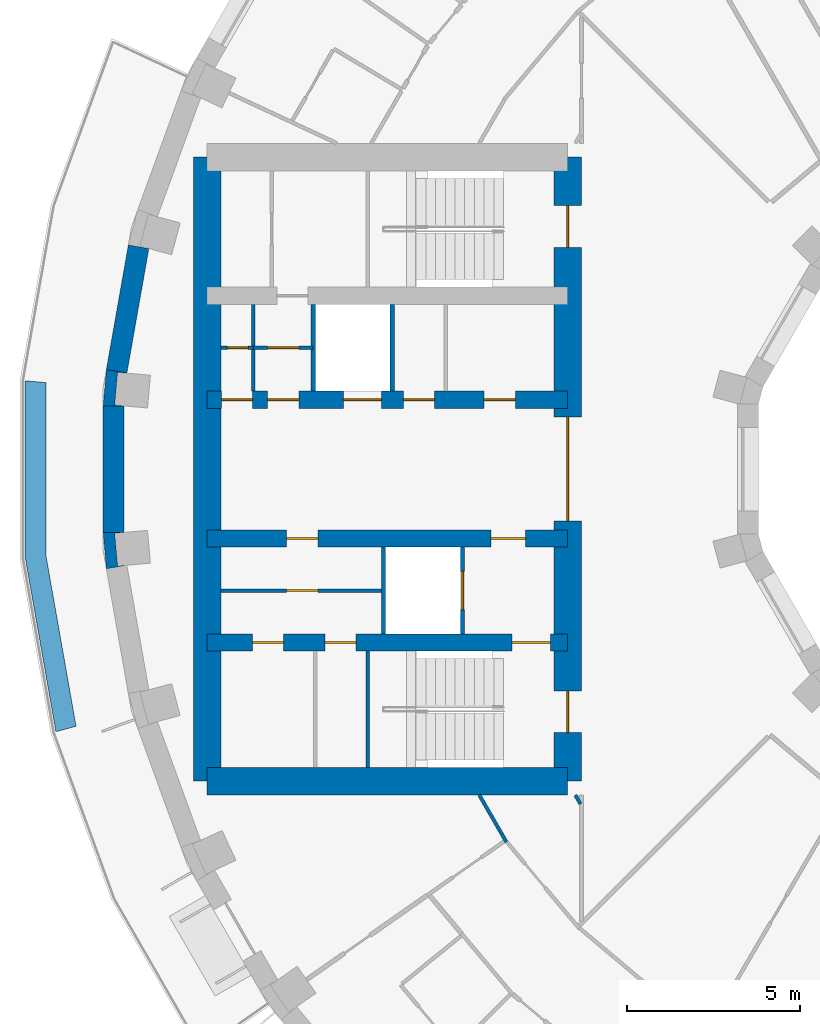
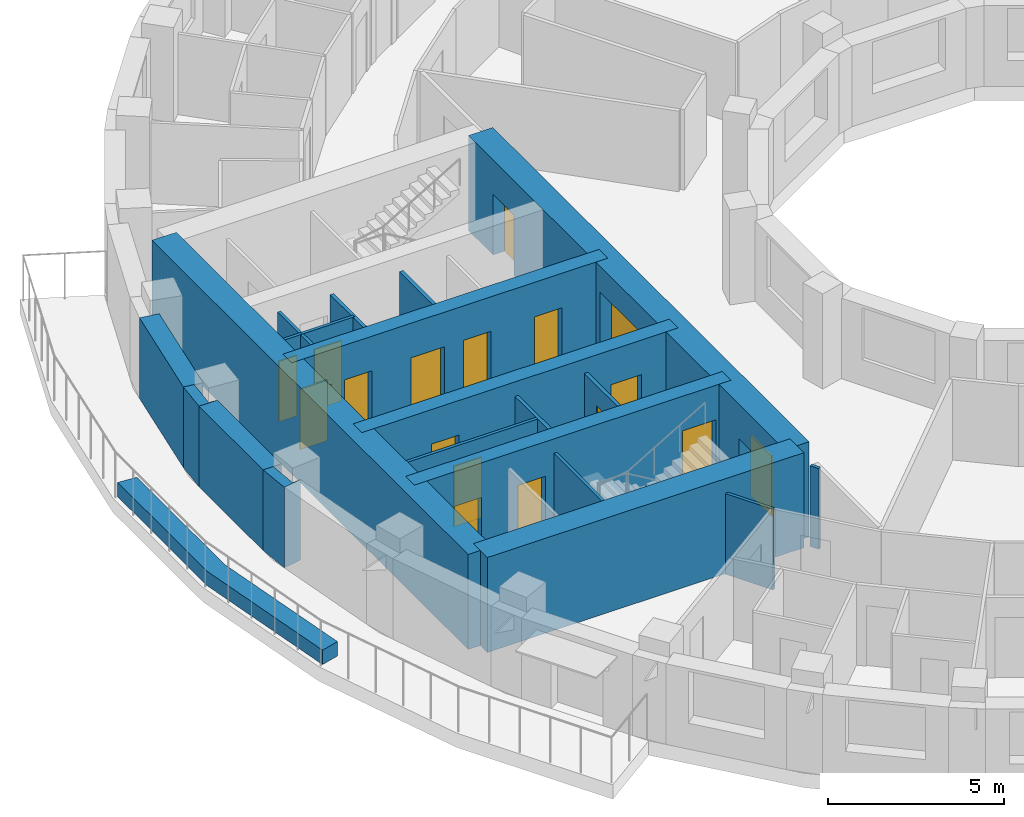
# One storey, part 4 of 13: 22 walls, 17 doors, 17 openings.
"""IFC4 building model written with IfcOpenShell, lengths in metres."""

from ifc_helpers import new_model, si_unit, direction, frame, frame_2d, origin, place, context, subcontext, project, spatial, polyline, rectangle, outline, extrude, material, layer, layer_set, type_object, element, fill, save


model = new_model("IFC4")

# Units and contexts
model_context = context("Model", 3, precision=1e-05, world=origin(), true_north=direction((0.0, 1.0)))
body_context = subcontext(model_context, "Body", "Model", "MODEL_VIEW")
ifc_project = project(units=[si_unit("LENGTHUNIT", "METRE"), si_unit("AREAUNIT", "SQUARE_METRE"), si_unit("VOLUMEUNIT", "CUBIC_METRE"), si_unit("PLANEANGLEUNIT", "RADIAN"), si_unit("MASSUNIT", "GRAM", prefix="KILO")], contexts=[model_context])

# Site, building, storey
site_placement = place(None, origin())
site = spatial("IfcSite", under=ifc_project, at=site_placement, CompositionType="ELEMENT")
building_placement = place(site_placement, origin())
building = spatial("IfcBuilding", under=site, at=building_placement, Name="Saqina Gate Tower", CompositionType="ELEMENT")
storey_placement = place(building_placement, frame((0.0, 0.0, 118.300048828125)))
storey = spatial("IfcBuildingStorey", under=building, at=storey_placement, Name="L33", CompositionType="ELEMENT", Elevation=118.300048828125)

# Walls
ifc_material_1 = material(Name="Brick masonry (buff)", Category="masonry")
wall_type_1 = type_object("IfcWallType", Name="BRICK PIER COPING BUFF", PredefinedType="SOLIDWALL", material=ifc_material_1)
wall_1_placement = place(storey_placement, origin())
element("IfcWall", 1, at=wall_1_placement, inside=storey, type_object=wall_type_1, Name="Pier cap L33 column 18", PredefinedType="SOLIDWALL", context=body_context, shape_type="SweptSolid", body=[
    extrude(outline(polyline([(-26.805419921875, 2.87451171875), (-26.897216796875, 1.823974609375), (-26.29736328125, 1.823974609375), (-26.565185546875, 1.847412109375), (-26.482421875, 2.793701171875), (-26.214599609375, 2.770263671875), (-26.805419921875, 2.87451171875)])), origin(), (0.0, 0.0, 1.0), 2.800048828125),
])
wall_2_placement = place(storey_placement, origin())
element("IfcWall", 2, at=wall_2_placement, inside=storey, type_object=wall_type_1, Name="Pier cap L33 column 19", PredefinedType="SOLIDWALL", context=body_context, shape_type="SweptSolid", body=[
    extrude(outline(polyline([(-26.805419921875, -2.87451171875), (-26.214599609375, -2.770263671875), (-26.482421875, -2.793701171875), (-26.565185546875, -1.847412109375), (-26.29736328125, -1.823974609375), (-26.897216796875, -1.823974609375), (-26.805419921875, -2.87451171875)])), origin(), (0.0, 0.0, 1.0), 2.800048828125),
])
ifc_material_2 = material(Name="Gypsum board on steel studs", Category="steel")
ifc_layer_1 = layer(ifc_material_2, 0.10009765625)
ifc_layer_set_1 = layer_set([ifc_layer_1], Name="CORE PARTITION")
wall_type_2 = type_object("IfcWallType", Name="CORE PARTITION", PredefinedType="PARTITIONING", material=ifc_layer_set_1)
wall_3_placement = place(storey_placement, frame((-22.569091796875, 2.25, 0.0), z_axis=(0.0, 0.0, 1.0), x_axis=(0.0, 1.0, 0.0)))
element("IfcWall", 3, at=wall_3_placement, inside=storey, type_object=wall_type_2, Name="L33-CP-W04", PredefinedType="PARTITIONING", context=body_context, shape_type="SweptSolid", body=[
    extrude(rectangle(XDim=2.5, YDim=0.10009765625, at=frame_2d((1.25, 0.0))), origin(), (0.0, 0.0, 1.0), 2.800048828125),
])

# Wall, opening, door
wall_4_placement = place(storey_placement, frame((-20.840087890625, 3.5, 0.0), z_axis=(0.0, 0.0, 1.0), x_axis=(-1.0, 0.0, 0.0)))
wall_4 = element("IfcWall", 4, at=wall_4_placement, inside=storey, type_object=wall_type_2, Name="L33-CP-W07", PredefinedType="PARTITIONING", context=body_context, shape_type="SweptSolid", body=[
    extrude(rectangle(XDim=1.72900390625, YDim=0.10009765625, at=frame_2d((0.864501953125, 0.0))), origin(), (0.0, 0.0, 1.0), 2.800048828125),
])
opening_1_placement = place(wall_4_placement, frame((0.41455078125, 0.0, 0.0)))
opening_1 = element("IfcOpeningElement", 5, at=opening_1_placement, cuts=wall_4, Name="Opening G09-D114", PredefinedType="OPENING", context=body_context, shape_type="SweptSolid", body=[
    extrude(rectangle(XDim=0.89990234375, YDim=2.10009765625, at=frame_2d((0.449951171875, 1.050048828125))), frame((0.0, 0.06201171875, 0.0), z_axis=(0.0, -1.0, 0.0), x_axis=(1.0, 0.0, 0.0)), (0.0, 0.0, 1.0), 0.1240234375),
])
ifc_material_3 = material(Name="Steel-framed fire door leaf, EI 60", Category="steel")
door_type_1 = type_object("IfcDoorType", Name="SERVICE ROOM DOOR 900", OperationType="SINGLE_SWING_LEFT", PredefinedType="DOOR", material=ifc_material_3)
door_1_placement = place(opening_1_placement, frame((0.89990234375, 0.0, 0.0), z_axis=(0.0, 0.0, 1.0), x_axis=(-1.0, 0.0, 0.0)))
door_1 = element("IfcDoor", 6, at=door_1_placement, inside=storey, type_object=door_type_1, Name="L33-CD-W25", OperationType="SINGLE_SWING_RIGHT", OverallHeight=2.10009765625, OverallWidth=0.89990234375, PredefinedType="DOOR", context=body_context, shape_type="SweptSolid", body=[
    extrude(rectangle(XDim=0.89990234375, YDim=2.10009765625, at=frame_2d((0.449951171875, 1.050048828125))), frame((0.0, 0.02490234375, 0.0), z_axis=(0.0, -1.0, 0.0), x_axis=(1.0, 0.0, 0.0)), (0.0, 0.0, 1.0), 0.050048828125),
])
fill(opening_1, door_1)

wall_5_placement = place(storey_placement, frame((-22.569091796875, 3.5, 0.0), z_axis=(0.0, 0.0, 1.0), x_axis=(-1.0, 0.0, 0.0)))
wall_5 = element("IfcWall", 7, at=wall_5_placement, inside=storey, type_object=wall_type_2, Name="L33-CP-W08", PredefinedType="PARTITIONING", context=body_context, shape_type="SweptSolid", body=[
    extrude(rectangle(XDim=0.930908203125, YDim=0.10009765625, at=frame_2d((0.46533203125, 0.0))), origin(), (0.0, 0.0, 1.0), 2.800048828125),
])
opening_2_placement = place(wall_5_placement, frame((0.14990234375, 0.0, 0.0)))
opening_2 = element("IfcOpeningElement", 8, at=opening_2_placement, cuts=wall_5, Name="Opening G09-D113", PredefinedType="OPENING", context=body_context, shape_type="SweptSolid", body=[
    extrude(rectangle(XDim=0.60009765625, YDim=2.10009765625, at=frame_2d((0.300048828125, 1.050048828125))), frame((0.0, 0.06201171875, 0.0), z_axis=(0.0, -1.0, 0.0), x_axis=(1.0, 0.0, 0.0)), (0.0, 0.0, 1.0), 0.1240234375),
])
ifc_material_4 = material(Name="Steel-framed fire door leaf, EI 60", Category="steel")
door_type_2 = type_object("IfcDoorType", Name="SERVICE ROOM DOOR 600", OperationType="SINGLE_SWING_LEFT", PredefinedType="DOOR", material=ifc_material_4)
door_2_placement = place(opening_2_placement, origin())
door_2 = element("IfcDoor", 9, at=door_2_placement, inside=storey, type_object=door_type_2, Name="L33-CD-W24", OperationType="SINGLE_SWING_RIGHT", OverallHeight=2.10009765625, OverallWidth=0.60009765625, PredefinedType="DOOR", context=body_context, shape_type="SweptSolid", body=[
    extrude(rectangle(XDim=0.60009765625, YDim=2.10009765625, at=frame_2d((0.300048828125, 1.050048828125))), frame((0.0, 0.02490234375, 0.0), z_axis=(0.0, -1.0, 0.0), x_axis=(1.0, 0.0, 0.0)), (0.0, 0.0, 1.0), 0.050048828125),
])
fill(opening_2, door_2)

wall_6_placement = place(storey_placement, frame((-18.81005859375, -3.5, 0.0), z_axis=(0.0, 0.0, 1.0), x_axis=(-1.0, 0.0, 0.0)))
wall_6 = element("IfcWall", 10, at=wall_6_placement, inside=storey, type_object=wall_type_2, Name="L33-CP-W09", PredefinedType="PARTITIONING", context=body_context, shape_type="SweptSolid", body=[
    extrude(rectangle(XDim=4.68994140625, YDim=0.10009765625, at=frame_2d((2.344970703125, 0.0))), origin(), (0.0, 0.0, 1.0), 2.800048828125),
])
opening_3_placement = place(wall_6_placement, frame((1.89501953125, 0.0, 0.0)))
opening_3 = element("IfcOpeningElement", 11, at=opening_3_placement, cuts=wall_6, Name="Opening G09-D117", PredefinedType="OPENING", context=body_context, shape_type="SweptSolid", body=[
    extrude(rectangle(XDim=0.89990234375, YDim=2.10009765625, at=frame_2d((0.449951171875, 1.050048828125))), frame((0.0, 0.06201171875, 0.0), z_axis=(0.0, -1.0, 0.0), x_axis=(1.0, 0.0, 0.0)), (0.0, 0.0, 1.0), 0.1240234375),
])
door_3_placement = place(opening_3_placement, origin())
door_3 = element("IfcDoor", 12, at=door_3_placement, inside=storey, type_object=door_type_1, Name="L33-CD-W28", OperationType="SINGLE_SWING_LEFT", OverallHeight=2.10009765625, OverallWidth=0.89990234375, PredefinedType="DOOR", context=body_context, shape_type="SweptSolid", body=[
    extrude(rectangle(XDim=0.89990234375, YDim=2.10009765625, at=frame_2d((0.449951171875, 1.050048828125))), frame((0.0, 0.02490234375, 0.0), z_axis=(0.0, -1.0, 0.0), x_axis=(1.0, 0.0, 0.0)), (0.0, 0.0, 1.0), 0.050048828125),
])
fill(opening_3, door_3)

# Walls
ifc_material_5 = material(Name="Glazed ceramic tile", Category="ceramic")
ifc_layer_2 = layer(ifc_material_5, 0.60009765625)
ifc_layer_set_2 = layer_set([ifc_layer_2], Name="FW-TILE")
wall_type_3 = type_object("IfcWallType", Name="FW-TILE", PredefinedType="SOLIDWALL", material=ifc_layer_set_2)
wall_7_placement = place(storey_placement, frame((-26.59716796875, 1.823974609375, 0.0), z_axis=(0.0, 0.0, 1.0), x_axis=(0.0, -1.0, 0.0)))
element("IfcWall", 13, at=wall_7_placement, inside=storey, type_object=wall_type_3, Name="Facade wall L33 facet 18", PredefinedType="SOLIDWALL", context=body_context, shape_type="SweptSolid", body=[
    extrude(rectangle(XDim=3.64794921875, YDim=0.60009765625, at=frame_2d((1.823974609375, 0.0))), origin(), (0.0, 0.0, 1.0), 2.800048828125),
])
ifc_material_6 = material(Name="Glazed ceramic tile (dark blue)", Category="ceramic")
ifc_layer_3 = layer(ifc_material_6, 0.60009765625)
ifc_layer_set_3 = layer_set([ifc_layer_3], Name="FW-TILE-CB")
wall_type_4 = type_object("IfcWallType", Name="FW-TILE-CB", PredefinedType="SOLIDWALL", material=ifc_layer_set_3)
wall_8_placement = place(storey_placement, frame((-25.87646484375, 6.414794921875, 0.0), z_axis=(0.0, 0.0, 1.0), x_axis=(-0.173670796382, -0.984803764455, 0.0)))
element("IfcWall", 14, at=wall_8_placement, inside=storey, type_object=wall_type_4, Name="Facade wall L33 facet 17", PredefinedType="SOLIDWALL", context=body_context, shape_type="SweptSolid", body=[
    extrude(rectangle(XDim=3.64794921875, YDim=0.60009765625, at=frame_2d((1.823974609375, 0.0))), origin(), (0.0, 0.0, 1.0), 2.800048828125),
])
ifc_material_7 = material(Name="Gypsum board on steel studs, 100 mm", Category="steel")
ifc_layer_4 = layer(ifc_material_7, 0.10009765625)
ifc_layer_set_4 = layer_set([ifc_layer_4], Name="PARTITION 100")
wall_type_5 = type_object("IfcWallType", Name="PARTITION 100", PredefinedType="PARTITIONING", material=ifc_layer_set_4)
wall_9_placement = place(storey_placement, frame((-13.278076171875, -9.40087890625, 0.0), z_axis=(0.0, 0.0, 1.0), x_axis=(0.49953088146, -0.866296080141, 0.0)))
element("IfcWall", 15, at=wall_9_placement, inside=storey, type_object=wall_type_5, Name="PARTITION PW3-11", PredefinedType="PARTITIONING", context=body_context, shape_type="SweptSolid", body=[
    extrude(rectangle(XDim=0.294189453125, YDim=0.10009765625, at=frame_2d((0.14697265625, 0.0))), origin(), (0.0, 0.0, 1.0), 2.800048828125),
])
wall_10_placement = place(storey_placement, frame((-16.050048828125, -9.39794921875, 0.0), z_axis=(0.0, 0.0, 1.0), x_axis=(0.499614353746, -0.866247942296, 0.0)))
element("IfcWall", 16, at=wall_10_placement, inside=storey, type_object=wall_type_5, Name="PARTITION PW3-12", PredefinedType="PARTITIONING", context=body_context, shape_type="SweptSolid", body=[
    extrude(rectangle(XDim=1.564208984375, YDim=0.10009765625, at=frame_2d((0.7822265625, 0.0))), origin(), (0.0, 0.0, 1.0), 2.800048828125),
])
ifc_material_8 = material(Name="Brick masonry (red)", Category="masonry")
ifc_layer_5 = layer(ifc_material_8, 0.60009765625)
ifc_layer_set_5 = layer_set([ifc_layer_5], Name="PL-PLANTER")
wall_type_6 = type_object("IfcWallType", Name="PL-PLANTER", PredefinedType="PARAPET", material=ifc_layer_set_5)
wall_11_placement = place(storey_placement, origin())
element("IfcWall", 17, at=wall_11_placement, inside=storey, type_object=wall_type_6, Name="Planter L33", PredefinedType="PARAPET", context=body_context, shape_type="SweptSolid", body=[
    extrude(outline(polyline([(-29.147216796875, 2.550048828125), (-29.147216796875, -2.550048828125), (-28.26171875, -7.57275390625), (-27.679931640625, -7.416748046875), (-28.54736328125, -2.49755859375), (-28.54736328125, 2.49755859375), (-29.147216796875, 2.550048828125)])), origin(), (0.0, 0.0, 1.0), 0.5),
])
ifc_material_9 = material(Name="Autoclaved aerated concrete block", Category="concrete")
ifc_layer_6 = layer(ifc_material_9, 0.1201171875)
ifc_layer_set_6 = layer_set([ifc_layer_6], Name="SHAFT PARTITION")
wall_type_7 = type_object("IfcWallType", Name="SHAFT PARTITION", PredefinedType="PARTITIONING", material=ifc_layer_set_6)
for number, where, z_axis, x_axis, name in (
    (18, (-18.56005859375, 2.25, 0.0), (0.0, 0.0, 1.0), (0.0, 1.0, 0.0), "L33-CP-W02"),
    (19, (-20.840087890625, 2.25, 0.0), (0.0, 0.0, 1.0), (0.0, 1.0, 0.0), "L33-CP-W03"),
):
    element("IfcWall", number, at=place(storey_placement, frame(where, z_axis=z_axis, x_axis=x_axis)), inside=storey, type_object=wall_type_7, Name=name, PredefinedType="PARTITIONING", context=body_context, shape_type="SweptSolid", body=[
        extrude(rectangle(XDim=2.5, YDim=0.1201171875, at=frame_2d((1.25, 0.0))), origin(), (0.0, 0.0, 1.0), 2.800048828125),
    ])

# Wall, opening, door
wall_12_placement = place(storey_placement, frame((-16.530029296875, -4.75, 0.0), z_axis=(0.0, 0.0, 1.0), x_axis=(0.0, 1.0, 0.0)))
wall_12 = element("IfcWall", 20, at=wall_12_placement, inside=storey, type_object=wall_type_7, Name="L33-CP-W05", PredefinedType="PARTITIONING", context=body_context, shape_type="SweptSolid", body=[
    extrude(rectangle(XDim=2.5, YDim=0.1201171875, at=frame_2d((1.25, 0.0))), origin(), (0.0, 0.0, 1.0), 2.800048828125),
])
opening_4_placement = place(wall_12_placement, frame((0.699951171875, 0.0, 0.0)))
opening_4 = element("IfcOpeningElement", 21, at=opening_4_placement, cuts=wall_12, Name="Opening G09-LD4", PredefinedType="OPENING", context=body_context, shape_type="SweptSolid", body=[
    extrude(rectangle(XDim=1.10009765625, YDim=2.10009765625, at=frame_2d((0.550048828125, 1.050048828125))), frame((0.0, 0.072021484375, 0.0), z_axis=(0.0, -1.0, 0.0), x_axis=(1.0, 0.0, 0.0)), (0.0, 0.0, 1.0), 0.14404296875),
])
ifc_material_10 = material(Name="Stainless steel", Category="steel")
door_type_3 = type_object("IfcDoorType", Name="LANDING DOOR", OperationType="DOUBLE_DOOR_SLIDING", PredefinedType="DOOR", material=ifc_material_10)
door_4_placement = place(opening_4_placement, origin())
door_4 = element("IfcDoor", 22, at=door_4_placement, inside=storey, type_object=door_type_3, Name="LANDING DOOR FF2", OperationType="DOUBLE_DOOR_SLIDING", OverallHeight=2.10009765625, OverallWidth=1.10009765625, PredefinedType="DOOR", context=body_context, shape_type="SweptSolid", body=[
    extrude(rectangle(XDim=1.10009765625, YDim=2.10009765625, at=frame_2d((0.550048828125, 1.050048828125))), frame((0.0, 0.02490234375, 0.0), z_axis=(0.0, -1.0, 0.0), x_axis=(1.0, 0.0, 0.0)), (0.0, 0.0, 1.0), 0.050048828125),
])
fill(opening_4, door_4)

# Walls
wall_13_placement = place(storey_placement, frame((-18.81005859375, -4.75, 0.0), z_axis=(0.0, 0.0, 1.0), x_axis=(0.0, 1.0, 0.0)))
element("IfcWall", 23, at=wall_13_placement, inside=storey, type_object=wall_type_7, Name="L33-CP-W06", PredefinedType="PARTITIONING", context=body_context, shape_type="SweptSolid", body=[
    extrude(rectangle(XDim=2.5, YDim=0.1201171875, at=frame_2d((1.25, 0.0))), origin(), (0.0, 0.0, 1.0), 2.800048828125),
])
ifc_material_11 = material(Name="Autoclaved aerated concrete block", Category="concrete")
ifc_layer_7 = layer(ifc_material_11, 0.10009765625)
ifc_layer_set_7 = layer_set([ifc_layer_7], Name="STAIR ENCLOSURE WALL")
wall_type_8 = type_object("IfcWallType", Name="STAIR ENCLOSURE WALL", PredefinedType="PARTITIONING", material=ifc_layer_set_7)
wall_14_placement = place(storey_placement, frame((-19.27001953125, -8.60009765625, 0.0), z_axis=(0.0, 0.0, 1.0), x_axis=(0.0, 1.0, 0.0)))
element("IfcWall", 24, at=wall_14_placement, inside=storey, type_object=wall_type_8, Name="L33-CP-W12", PredefinedType="PARTITIONING", context=body_context, shape_type="SweptSolid", body=[
    extrude(rectangle(XDim=3.35009765625, YDim=0.10009765625, at=frame_2d((1.675048828125, 0.0))), origin(), (0.0, 0.0, 1.0), 2.800048828125),
])

# Wall, openings, doors
ifc_material_12 = material(Name="Concrete C70/85", Category="concrete")
ifc_layer_8 = layer(ifc_material_12, 0.5)
ifc_layer_set_8 = layer_set([ifc_layer_8], Name="Concrete C70/85")
wall_type_9 = type_object("IfcWallType", Name="STR-CORE WALL-B-I", PredefinedType="SHEAR", material=ifc_layer_set_8)
wall_15_placement = place(storey_placement, frame((-13.5, -5.0, 0.0), z_axis=(0.0, 0.0, 1.0), x_axis=(-1.0, 0.0, 0.0)))
wall_15 = element("IfcWall", 25, at=wall_15_placement, inside=storey, type_object=wall_type_9, Name="CORE WALL L33 W-X2", PredefinedType="SHEAR", context=body_context, shape_type="SweptSolid", body=[
    extrude(rectangle(XDim=10.39990234375, YDim=0.5, at=frame_2d((5.199951171875, 0.0))), origin(), (0.0, 0.0, 1.0), 3.300048828125),
])
opening_5_placement = place(wall_15_placement, frame((6.1015625, 0.0, 0.0)))
opening_5 = element("IfcOpeningElement", 26, at=opening_5_placement, cuts=wall_15, Name="Opening G09-D118", PredefinedType="OPENING", context=body_context, shape_type="SweptSolid", body=[
    extrude(rectangle(XDim=0.89990234375, YDim=2.10009765625, at=frame_2d((0.449951171875, 1.050048828125))), frame((0.0, 0.261962890625, 0.0), z_axis=(0.0, -1.0, 0.0), x_axis=(1.0, 0.0, 0.0)), (0.0, 0.0, 1.0), 0.52392578125),
])
opening_6_placement = place(wall_15_placement, frame((8.19140625, 0.0, 0.0)))
opening_6 = element("IfcOpeningElement", 27, at=opening_6_placement, cuts=wall_15, Name="Opening G09-D119", PredefinedType="OPENING", context=body_context, shape_type="SweptSolid", body=[
    extrude(rectangle(XDim=0.89990234375, YDim=2.10009765625, at=frame_2d((0.449951171875, 1.050048828125))), frame((0.0, 0.261962890625, 0.0), z_axis=(0.0, -1.0, 0.0), x_axis=(1.0, 0.0, 0.0)), (0.0, 0.0, 1.0), 0.52392578125),
])
opening_7_placement = place(wall_15_placement, frame((0.5, 0.0, 0.0)))
opening_7 = element("IfcOpeningElement", 28, at=opening_7_placement, cuts=wall_15, Name="Opening G09-D120", PredefinedType="OPENING", context=body_context, shape_type="SweptSolid", body=[
    extrude(rectangle(XDim=1.10009765625, YDim=2.10009765625, at=frame_2d((0.550048828125, 1.050048828125))), frame((0.0, 0.261962890625, 0.0), z_axis=(0.0, -1.0, 0.0), x_axis=(1.0, 0.0, 0.0)), (0.0, 0.0, 1.0), 0.52392578125),
])
ifc_material_13 = material(Name="Steel", Category="steel")
door_type_4 = type_object("IfcDoorType", Name="FIRE LOBBY DOOR EI 60 WIDE", OperationType="SINGLE_SWING_LEFT", PredefinedType="DOOR", material=ifc_material_13)
door_5_placement = place(opening_7_placement, origin())
door_5 = element("IfcDoor", 29, at=door_5_placement, inside=storey, type_object=door_type_4, Name="L33-CD-W31", OperationType="SINGLE_SWING_LEFT", OverallHeight=2.10009765625, OverallWidth=1.10009765625, PredefinedType="DOOR", context=body_context, shape_type="SweptSolid", body=[
    extrude(rectangle(XDim=1.10009765625, YDim=2.10009765625, at=frame_2d((0.550048828125, 1.050048828125))), frame((0.0, 0.02490234375, 0.0), z_axis=(0.0, -1.0, 0.0), x_axis=(1.0, 0.0, 0.0)), (0.0, 0.0, 1.0), 0.050048828125),
])
fill(opening_7, door_5)
door_6_placement = place(opening_5_placement, frame((0.89990234375, 0.0, 0.0), z_axis=(0.0, 0.0, 1.0), x_axis=(-1.0, 0.0, 0.0)))
door_6 = element("IfcDoor", 30, at=door_6_placement, inside=storey, type_object=door_type_1, Name="L33-CD-W29", OperationType="SINGLE_SWING_LEFT", OverallHeight=2.10009765625, OverallWidth=0.89990234375, PredefinedType="DOOR", context=body_context, shape_type="SweptSolid", body=[
    extrude(rectangle(XDim=0.89990234375, YDim=2.10009765625, at=frame_2d((0.449951171875, 1.050048828125))), frame((0.0, 0.02490234375, 0.0), z_axis=(0.0, -1.0, 0.0), x_axis=(1.0, 0.0, 0.0)), (0.0, 0.0, 1.0), 0.050048828125),
])
fill(opening_5, door_6)
door_7_placement = place(opening_6_placement, origin())
door_7 = element("IfcDoor", 31, at=door_7_placement, inside=storey, type_object=door_type_1, Name="L33-CD-W30", OperationType="SINGLE_SWING_RIGHT", OverallHeight=2.10009765625, OverallWidth=0.89990234375, PredefinedType="DOOR", context=body_context, shape_type="SweptSolid", body=[
    extrude(rectangle(XDim=0.89990234375, YDim=2.10009765625, at=frame_2d((0.449951171875, 1.050048828125))), frame((0.0, 0.02490234375, 0.0), z_axis=(0.0, -1.0, 0.0), x_axis=(1.0, 0.0, 0.0)), (0.0, 0.0, 1.0), 0.050048828125),
])
fill(opening_6, door_7)

wall_16_placement = place(storey_placement, frame((-13.5, 2.0, 0.0), z_axis=(0.0, 0.0, 1.0), x_axis=(-1.0, 0.0, 0.0)))
wall_16 = element("IfcWall", 32, at=wall_16_placement, inside=storey, type_object=wall_type_9, Name="CORE WALL L33 W-L1", PredefinedType="SHEAR", context=body_context, shape_type="SweptSolid", body=[
    extrude(rectangle(XDim=10.39990234375, YDim=0.5, at=frame_2d((5.199951171875, 0.0))), origin(), (0.0, 0.0, 1.0), 3.300048828125),
])
opening_8_placement = place(wall_16_placement, frame((5.3701171875, 0.0, 0.0)))
opening_8 = element("IfcOpeningElement", 33, at=opening_8_placement, cuts=wall_16, Name="Opening G09-LD3", PredefinedType="OPENING", context=body_context, shape_type="SweptSolid", body=[
    extrude(rectangle(XDim=1.10009765625, YDim=2.10009765625, at=frame_2d((0.550048828125, 1.050048828125))), frame((0.0, 0.261962890625, 0.0), z_axis=(0.0, -1.0, 0.0), x_axis=(1.0, 0.0, 0.0)), (0.0, 0.0, 1.0), 0.52392578125),
])
opening_9_placement = place(wall_16_placement, frame((1.510986328125, 0.0, 0.0)))
opening_9 = element("IfcOpeningElement", 34, at=opening_9_placement, cuts=wall_16, Name="Opening G09-D107", PredefinedType="OPENING", context=body_context, shape_type="SweptSolid", body=[
    extrude(rectangle(XDim=0.89990234375, YDim=2.10009765625, at=frame_2d((0.449951171875, 1.050048828125))), frame((0.0, 0.261962890625, 0.0), z_axis=(0.0, -1.0, 0.0), x_axis=(1.0, 0.0, 0.0)), (0.0, 0.0, 1.0), 0.52392578125),
])
opening_10_placement = place(wall_16_placement, frame((3.841064453125, 0.0, 0.0)))
opening_10 = element("IfcOpeningElement", 35, at=opening_10_placement, cuts=wall_16, Name="Opening G09-D108", PredefinedType="OPENING", context=body_context, shape_type="SweptSolid", body=[
    extrude(rectangle(XDim=0.89990234375, YDim=2.10009765625, at=frame_2d((0.449951171875, 1.050048828125))), frame((0.0, 0.261962890625, 0.0), z_axis=(0.0, -1.0, 0.0), x_axis=(1.0, 0.0, 0.0)), (0.0, 0.0, 1.0), 0.52392578125),
])
opening_11_placement = place(wall_16_placement, frame((7.75439453125, 0.0, 0.0)))
opening_11 = element("IfcOpeningElement", 36, at=opening_11_placement, cuts=wall_16, Name="Opening G09-D109", PredefinedType="OPENING", context=body_context, shape_type="SweptSolid", body=[
    extrude(rectangle(XDim=0.89990234375, YDim=2.10009765625, at=frame_2d((0.449951171875, 1.050048828125))), frame((0.0, 0.261962890625, 0.0), z_axis=(0.0, -1.0, 0.0), x_axis=(1.0, 0.0, 0.0)), (0.0, 0.0, 1.0), 0.52392578125),
])
opening_12_placement = place(wall_16_placement, frame((9.08447265625, 0.0, 0.0)))
opening_12 = element("IfcOpeningElement", 37, at=opening_12_placement, cuts=wall_16, Name="Opening G09-D110", PredefinedType="OPENING", context=body_context, shape_type="SweptSolid", body=[
    extrude(rectangle(XDim=0.89990234375, YDim=2.10009765625, at=frame_2d((0.449951171875, 1.050048828125))), frame((0.0, 0.261962890625, 0.0), z_axis=(0.0, -1.0, 0.0), x_axis=(1.0, 0.0, 0.0)), (0.0, 0.0, 1.0), 0.52392578125),
])
door_8_placement = place(opening_8_placement, origin())
door_8 = element("IfcDoor", 38, at=door_8_placement, inside=storey, type_object=door_type_3, Name="LANDING DOOR MR2", OperationType="DOUBLE_DOOR_SLIDING", OverallHeight=2.10009765625, OverallWidth=1.10009765625, PredefinedType="DOOR", context=body_context, shape_type="SweptSolid", body=[
    extrude(rectangle(XDim=1.10009765625, YDim=2.10009765625, at=frame_2d((0.550048828125, 1.050048828125))), frame((0.0, 0.02490234375, 0.0), z_axis=(0.0, -1.0, 0.0), x_axis=(1.0, 0.0, 0.0)), (0.0, 0.0, 1.0), 0.050048828125),
])
fill(opening_8, door_8)
door_9_placement = place(opening_9_placement, frame((0.89990234375, 0.0, 0.0), z_axis=(0.0, 0.0, 1.0), x_axis=(-1.0, 0.0, 0.0)))
door_9 = element("IfcDoor", 39, at=door_9_placement, inside=storey, type_object=door_type_1, Name="L33-CD-W18", OperationType="SINGLE_SWING_RIGHT", OverallHeight=2.10009765625, OverallWidth=0.89990234375, PredefinedType="DOOR", context=body_context, shape_type="SweptSolid", body=[
    extrude(rectangle(XDim=0.89990234375, YDim=2.10009765625, at=frame_2d((0.449951171875, 1.050048828125))), frame((0.0, 0.02490234375, 0.0), z_axis=(0.0, -1.0, 0.0), x_axis=(1.0, 0.0, 0.0)), (0.0, 0.0, 1.0), 0.050048828125),
])
fill(opening_9, door_9)
door_10_placement = place(opening_10_placement, frame((0.89990234375, 0.0, 0.0), z_axis=(0.0, 0.0, 1.0), x_axis=(-1.0, 0.0, 0.0)))
door_10 = element("IfcDoor", 40, at=door_10_placement, inside=storey, type_object=door_type_1, Name="L33-CD-W19", OperationType="SINGLE_SWING_LEFT", OverallHeight=2.10009765625, OverallWidth=0.89990234375, PredefinedType="DOOR", context=body_context, shape_type="SweptSolid", body=[
    extrude(rectangle(XDim=0.89990234375, YDim=2.10009765625, at=frame_2d((0.449951171875, 1.050048828125))), frame((0.0, 0.02490234375, 0.0), z_axis=(0.0, -1.0, 0.0), x_axis=(1.0, 0.0, 0.0)), (0.0, 0.0, 1.0), 0.050048828125),
])
fill(opening_10, door_10)
door_11_placement = place(opening_11_placement, frame((0.89990234375, 0.0, 0.0), z_axis=(0.0, 0.0, 1.0), x_axis=(-1.0, 0.0, 0.0)))
door_11 = element("IfcDoor", 41, at=door_11_placement, inside=storey, type_object=door_type_1, Name="L33-CD-W20", OperationType="SINGLE_SWING_RIGHT", OverallHeight=2.10009765625, OverallWidth=0.89990234375, PredefinedType="DOOR", context=body_context, shape_type="SweptSolid", body=[
    extrude(rectangle(XDim=0.89990234375, YDim=2.10009765625, at=frame_2d((0.449951171875, 1.050048828125))), frame((0.0, 0.02490234375, 0.0), z_axis=(0.0, -1.0, 0.0), x_axis=(1.0, 0.0, 0.0)), (0.0, 0.0, 1.0), 0.050048828125),
])
fill(opening_11, door_11)
door_12_placement = place(opening_12_placement, frame((0.89990234375, 0.0, 0.0), z_axis=(0.0, 0.0, 1.0), x_axis=(-1.0, 0.0, 0.0)))
door_12 = element("IfcDoor", 42, at=door_12_placement, inside=storey, type_object=door_type_1, Name="L33-CD-W21", OperationType="SINGLE_SWING_LEFT", OverallHeight=2.10009765625, OverallWidth=0.89990234375, PredefinedType="DOOR", context=body_context, shape_type="SweptSolid", body=[
    extrude(rectangle(XDim=0.89990234375, YDim=2.10009765625, at=frame_2d((0.449951171875, 1.050048828125))), frame((0.0, 0.02490234375, 0.0), z_axis=(0.0, -1.0, 0.0), x_axis=(1.0, 0.0, 0.0)), (0.0, 0.0, 1.0), 0.050048828125),
])
fill(opening_12, door_12)

wall_17_placement = place(storey_placement, frame((-13.5, -2.0, 0.0), z_axis=(0.0, 0.0, 1.0), x_axis=(-1.0, 0.0, 0.0)))
wall_17 = element("IfcWall", 43, at=wall_17_placement, inside=storey, type_object=wall_type_9, Name="CORE WALL L33 W-L2", PredefinedType="SHEAR", context=body_context, shape_type="SweptSolid", body=[
    extrude(rectangle(XDim=10.39990234375, YDim=0.5, at=frame_2d((5.199951171875, 0.0))), origin(), (0.0, 0.0, 1.0), 3.300048828125),
])
opening_13_placement = place(wall_17_placement, frame((1.215087890625, 0.0, 0.0)))
opening_13 = element("IfcOpeningElement", 44, at=opening_13_placement, cuts=wall_17, Name="Opening G09-D111", PredefinedType="OPENING", context=body_context, shape_type="SweptSolid", body=[
    extrude(rectangle(XDim=1.0, YDim=2.10009765625, at=frame_2d((0.5, 1.050048828125))), frame((0.0, 0.261962890625, 0.0), z_axis=(0.0, -1.0, 0.0), x_axis=(1.0, 0.0, 0.0)), (0.0, 0.0, 1.0), 0.52392578125),
])
opening_14_placement = place(wall_17_placement, frame((7.205078125, 0.0, 0.0)))
opening_14 = element("IfcOpeningElement", 45, at=opening_14_placement, cuts=wall_17, Name="Opening G09-D112", PredefinedType="OPENING", context=body_context, shape_type="SweptSolid", body=[
    extrude(rectangle(XDim=0.89990234375, YDim=2.10009765625, at=frame_2d((0.449951171875, 1.050048828125))), frame((0.0, 0.261962890625, 0.0), z_axis=(0.0, -1.0, 0.0), x_axis=(1.0, 0.0, 0.0)), (0.0, 0.0, 1.0), 0.52392578125),
])
ifc_material_14 = material(Name="Steel", Category="steel")
door_type_5 = type_object("IfcDoorType", Name="FIRE LOBBY DOOR EI 60", OperationType="SINGLE_SWING_LEFT", PredefinedType="DOOR", material=ifc_material_14)
door_13_placement = place(opening_13_placement, frame((1.0, 0.0, 0.0), z_axis=(0.0, 0.0, 1.0), x_axis=(-1.0, 0.0, 0.0)))
door_13 = element("IfcDoor", 46, at=door_13_placement, inside=storey, type_object=door_type_5, Name="L33-CD-W22", OperationType="SINGLE_SWING_RIGHT", OverallHeight=2.10009765625, OverallWidth=1.0, PredefinedType="DOOR", context=body_context, shape_type="SweptSolid", body=[
    extrude(rectangle(XDim=1.0, YDim=2.10009765625, at=frame_2d((0.5, 1.050048828125))), frame((0.0, 0.02490234375, 0.0), z_axis=(0.0, -1.0, 0.0), x_axis=(1.0, 0.0, 0.0)), (0.0, 0.0, 1.0), 0.050048828125),
])
fill(opening_13, door_13)
door_14_placement = place(opening_14_placement, origin())
door_14 = element("IfcDoor", 47, at=door_14_placement, inside=storey, type_object=door_type_1, Name="L33-CD-W23", OperationType="SINGLE_SWING_RIGHT", OverallHeight=2.10009765625, OverallWidth=0.89990234375, PredefinedType="DOOR", context=body_context, shape_type="SweptSolid", body=[
    extrude(rectangle(XDim=0.89990234375, YDim=2.10009765625, at=frame_2d((0.449951171875, 1.050048828125))), frame((0.0, 0.02490234375, 0.0), z_axis=(0.0, -1.0, 0.0), x_axis=(1.0, 0.0, 0.0)), (0.0, 0.0, 1.0), 0.050048828125),
])
fill(opening_14, door_14)

ifc_material_15 = material(Name="Concrete C70/85", Category="concrete")
ifc_layer_9 = layer(ifc_material_15, 0.800048828125)
ifc_layer_set_9 = layer_set([ifc_layer_9], Name="Concrete C70/85")
wall_type_10 = type_object("IfcWallType", Name="STR-CORE WALL-B-O", PredefinedType="SHEAR", material=ifc_layer_set_9)
wall_18_placement = place(storey_placement, frame((-13.5, -9.0, 0.0), z_axis=(0.0, 0.0, 1.0), x_axis=(0.0, 1.0, 0.0)))
wall_18 = element("IfcWall", 48, at=wall_18_placement, inside=storey, type_object=wall_type_10, Name="CORE WALL L33 W-W1", PredefinedType="SHEAR", context=body_context, shape_type="SweptSolid", body=[
    extrude(rectangle(XDim=18.0, YDim=0.800048828125, at=frame_2d((9.0, 0.0))), origin(), (0.0, 0.0, 1.0), 3.300048828125),
])
opening_15_placement = place(wall_18_placement, frame((15.39990234375, 0.0, 0.0)))
opening_15 = element("IfcOpeningElement", 49, at=opening_15_placement, cuts=wall_18, Name="Opening G09-D121", PredefinedType="OPENING", context=body_context, shape_type="SweptSolid", body=[
    extrude(rectangle(XDim=1.199951171875, YDim=2.10009765625, at=frame_2d((0.60009765625, 1.050048828125))), frame((0.0, 0.412109375, 0.0), z_axis=(0.0, -1.0, 0.0), x_axis=(1.0, 0.0, 0.0)), (0.0, 0.0, 1.0), 0.823974609375),
])
opening_16_placement = place(wall_18_placement, frame((1.39990234375, 0.0, 0.0)))
opening_16 = element("IfcOpeningElement", 50, at=opening_16_placement, cuts=wall_18, Name="Opening G09-D122", PredefinedType="OPENING", context=body_context, shape_type="SweptSolid", body=[
    extrude(rectangle(XDim=1.199951171875, YDim=2.10009765625, at=frame_2d((0.60009765625, 1.050048828125))), frame((0.0, 0.412109375, 0.0), z_axis=(0.0, -1.0, 0.0), x_axis=(1.0, 0.0, 0.0)), (0.0, 0.0, 1.0), 0.823974609375),
])
opening_17_placement = place(wall_18_placement, frame((7.5, 0.0, 0.0)))
opening_17 = element("IfcOpeningElement", 51, at=opening_17_placement, cuts=wall_18, Name="Opening G09-D123", PredefinedType="OPENING", context=body_context, shape_type="SweptSolid", body=[
    extrude(rectangle(XDim=3.0, YDim=2.39990234375, at=frame_2d((1.5, 1.199951171875))), frame((0.0, 0.412109375, 0.0), z_axis=(0.0, -1.0, 0.0), x_axis=(1.0, 0.0, 0.0)), (0.0, 0.0, 1.0), 0.823974609375),
])
ifc_material_16 = material(Name="Steel", Category="steel")
door_type_6 = type_object("IfcDoorType", Name="FIRE DOOR EI 60", OperationType="SINGLE_SWING_LEFT", PredefinedType="DOOR", material=ifc_material_16)
door_15_placement = place(opening_15_placement, origin())
door_15 = element("IfcDoor", 52, at=door_15_placement, inside=storey, type_object=door_type_6, Name="L33-CD-W32", OperationType="SINGLE_SWING_RIGHT", OverallHeight=2.10009765625, OverallWidth=1.199951171875, PredefinedType="DOOR", context=body_context, shape_type="SweptSolid", body=[
    extrude(rectangle(XDim=1.199951171875, YDim=2.10009765625, at=frame_2d((0.60009765625, 1.050048828125))), frame((0.0, 0.02490234375, 0.0), z_axis=(0.0, -1.0, 0.0), x_axis=(1.0, 0.0, 0.0)), (0.0, 0.0, 1.0), 0.050048828125),
])
fill(opening_15, door_15)
door_16_placement = place(opening_16_placement, origin())
door_16 = element("IfcDoor", 53, at=door_16_placement, inside=storey, type_object=door_type_6, Name="L33-CD-W33", OperationType="SINGLE_SWING_LEFT", OverallHeight=2.10009765625, OverallWidth=1.199951171875, PredefinedType="DOOR", context=body_context, shape_type="SweptSolid", body=[
    extrude(rectangle(XDim=1.199951171875, YDim=2.10009765625, at=frame_2d((0.60009765625, 1.050048828125))), frame((0.0, 0.02490234375, 0.0), z_axis=(0.0, -1.0, 0.0), x_axis=(1.0, 0.0, 0.0)), (0.0, 0.0, 1.0), 0.050048828125),
])
fill(opening_16, door_16)
ifc_material_17 = material(Name="Steel and fire-resisting glass", Category="steel")
door_type_7 = type_object("IfcDoorType", Name="LOBBY SCREEN DOOR", OperationType="DOUBLE_DOOR_SLIDING", PredefinedType="DOOR", material=ifc_material_17)
door_17_placement = place(opening_17_placement, origin())
door_17 = element("IfcDoor", 54, at=door_17_placement, inside=storey, type_object=door_type_7, Name="L33-CD-W34", OperationType="DOUBLE_DOOR_SLIDING", OverallHeight=2.39990234375, OverallWidth=3.0, PredefinedType="DOOR", context=body_context, shape_type="SweptSolid", body=[
    extrude(rectangle(XDim=3.0, YDim=2.39990234375, at=frame_2d((1.5, 1.199951171875))), frame((0.0, 0.02490234375, 0.0), z_axis=(0.0, -1.0, 0.0), x_axis=(1.0, 0.0, 0.0)), (0.0, 0.0, 1.0), 0.050048828125),
])
fill(opening_17, door_17)

# Walls
wall_19_placement = place(storey_placement, frame((-23.89990234375, -9.0, 0.0), z_axis=(0.0, 0.0, 1.0), x_axis=(0.0, 1.0, 0.0)))
element("IfcWall", 55, at=wall_19_placement, inside=storey, type_object=wall_type_10, Name="CORE WALL L33 W-W2", PredefinedType="SHEAR", context=body_context, shape_type="SweptSolid", body=[
    extrude(rectangle(XDim=18.0, YDim=0.800048828125, at=frame_2d((9.0, 0.0))), origin(), (0.0, 0.0, 1.0), 3.300048828125),
])
wall_20_placement = place(storey_placement, frame((-13.5, -9.0, 0.0), z_axis=(0.0, 0.0, 1.0), x_axis=(-1.0, 0.0, 0.0)))
element("IfcWall", 56, at=wall_20_placement, inside=storey, type_object=wall_type_10, Name="CORE WALL L33 W-SE", PredefinedType="SHEAR", context=body_context, shape_type="SweptSolid", body=[
    extrude(rectangle(XDim=10.39990234375, YDim=0.800048828125, at=frame_2d((5.199951171875, 0.0))), origin(), (0.0, 0.0, 1.0), 3.300048828125),
])

save(model, "model.ifc")
